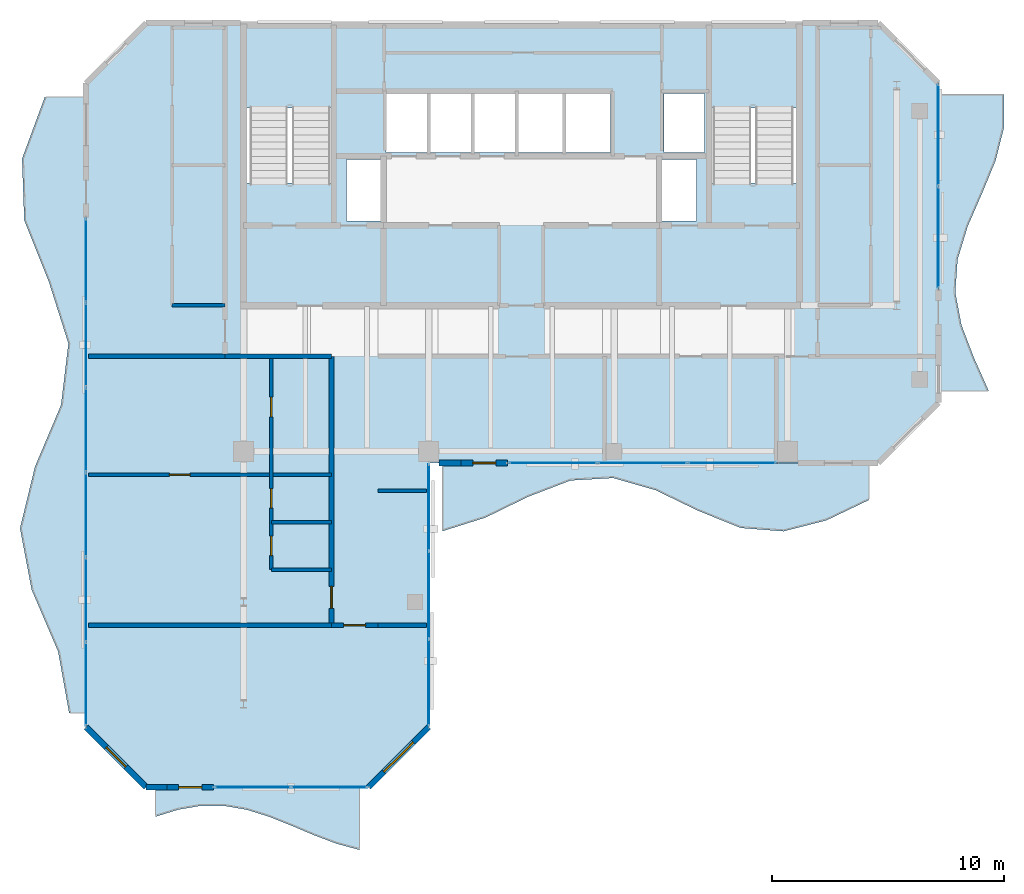
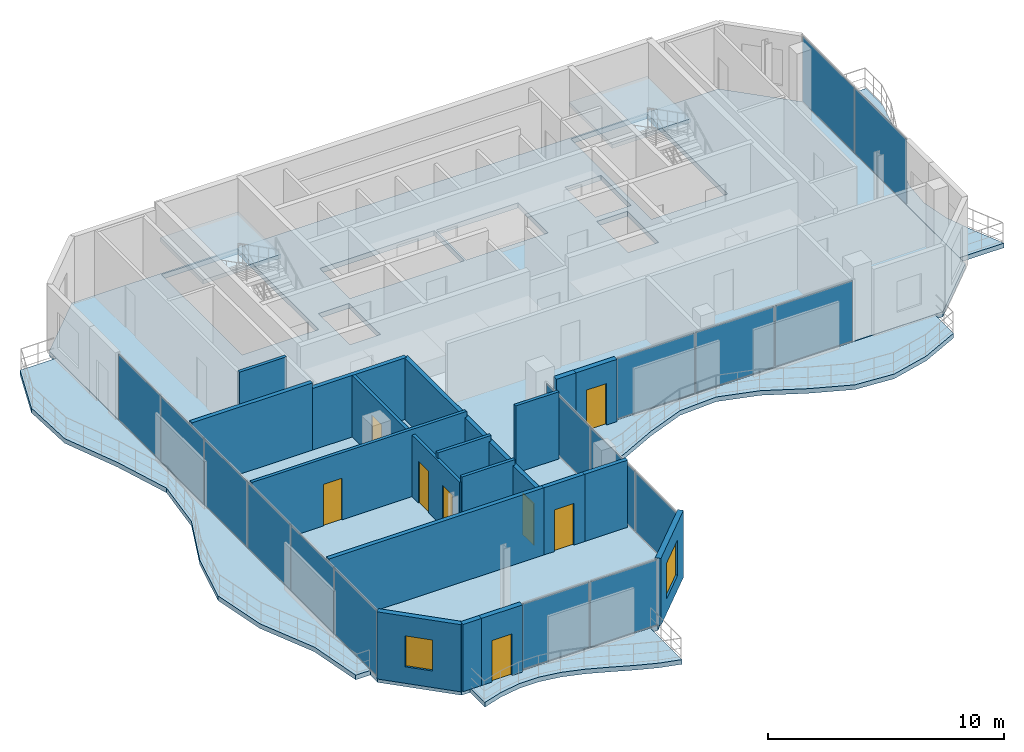
# One storey, part 11 of 16: 18 walls, 16 plates, 8 doors, 7 slabs, 2 windows, 10 openings, 7 elements without a shape of their own.
"""IFC4 building model written with IfcOpenShell, lengths in metres."""

import ifcopenshell
import ifcopenshell.guid

model = None  # the IFC model being written
_history = None  # IfcOwnerHistory: only IFC2X3 demands one
_inside = {}  # id of a spatial element -> (the spatial element, [elements in it])
_under = {}  # id of a project, library or spatial element -> (it, [spatial elements below it])
_declared = {}  # id of a project -> (the project, [libraries it declares])
_typed = {}  # id of a type object -> (the type object, [elements of that type])
_made_of = {}  # id of a material, layer set ... -> (it, [elements and type objects made of it])


def new_model(schema):
    """Start an empty IFC model of exactly this schema.

    Asked for "IFC4X3", IfcOpenShell would pick the latest addendum, in which some entities
    have other attributes; the version numbers below select the first issue.
    IFC2X3 requires an IfcOwnerHistory on every rooted entity: one is made here for all.
    """
    global model, _history
    if schema == "IFC4X3":
        model = ifcopenshell.file(schema_version=(4, 3, 0, 0))
    else:
        model = ifcopenshell.file(schema=schema)
    _inside.clear()
    _under.clear()
    _declared.clear()
    _typed.clear()
    _made_of.clear()
    _history = None
    if model.schema == "IFC2X3":
        org = make("IfcOrganization", Name="unknown")
        user = make(
            "IfcPersonAndOrganization",
            ThePerson=make("IfcPerson", FamilyName="unknown"),
            TheOrganization=org,
        )
        app = make(
            "IfcApplication",
            ApplicationDeveloper=org,
            Version="unknown",
            ApplicationFullName="unknown",
            ApplicationIdentifier="unknown",
        )
        _history = make(
            "IfcOwnerHistory",
            OwningUser=user,
            OwningApplication=app,
            ChangeAction="ADDED",
            CreationDate=0,
        )
    return model


def make(cls, **values):
    """One entity of the class cls with the attributes given. An attribute that is None is left unset."""
    return model.create_entity(
        cls, **{name: value for name, value in values.items() if value is not None}
    )


def rooted(cls, **values):
    """An entity with a GlobalId (a new one), such as an element, a storey or a relation."""
    return make(cls, GlobalId=ifcopenshell.guid.new(), OwnerHistory=_history, **values)


def si_unit(unit_type, name, prefix=None):
    """IfcSIUnit, for example si_unit("LENGTHUNIT", "METRE", prefix="MILLI")."""
    return make("IfcSIUnit", UnitType=unit_type, Prefix=prefix, Name=name)


def assignment(units):
    """IfcUnitAssignment: the units of a project."""
    return None if units is None else make("IfcUnitAssignment", Units=units)


def point(xyz):
    """IfcCartesianPoint."""
    return None if xyz is None else make("IfcCartesianPoint", Coordinates=xyz)


def direction(xyz):
    """IfcDirection."""
    return None if xyz is None else make("IfcDirection", DirectionRatios=xyz)


def frame(location, z_axis=None, x_axis=None):
    """IfcAxis2Placement3D, a coordinate frame: its origin and axes. An axis left out is left unset."""
    return make(
        "IfcAxis2Placement3D",
        Location=point(location),
        Axis=direction(z_axis),
        RefDirection=direction(x_axis),
    )


def frame_2d(location, x_axis=None):
    """IfcAxis2Placement2D, a coordinate frame in the plane: its origin and x axis."""
    return make(
        "IfcAxis2Placement2D", Location=point(location), RefDirection=direction(x_axis)
    )


def origin():
    """The frame at (0, 0, 0) with its axes left unset."""
    return frame((0.0, 0.0, 0.0))


def origin_2d():
    """The frame at (0, 0) in the plane with its x axis left unset."""
    return frame_2d((0.0, 0.0))


def place(relative_to, where):
    """IfcLocalPlacement: puts the frame where relative to a parent placement (None: the world)."""
    return make(
        "IfcLocalPlacement", PlacementRelTo=relative_to, RelativePlacement=where
    )


def context(
    kind, dimensions, precision=None, world=None, true_north=None, identifier=None
):
    """IfcGeometricRepresentationContext, for example the 3D "Model" context."""
    return make(
        "IfcGeometricRepresentationContext",
        ContextIdentifier=identifier,
        ContextType=kind,
        CoordinateSpaceDimension=dimensions,
        Precision=precision,
        WorldCoordinateSystem=world,
        TrueNorth=true_north,
    )


def subcontext(parent, identifier, kind, view, scale=None):
    """IfcGeometricRepresentationSubContext, for example "Body" below "Model"."""
    return make(
        "IfcGeometricRepresentationSubContext",
        ContextIdentifier=identifier,
        ContextType=kind,
        ParentContext=parent,
        TargetScale=scale,
        TargetView=view,
    )


def project(units=None, contexts=None):
    """IfcProject with its units and contexts."""
    return rooted(
        "IfcProject",
        Name="project",
        RepresentationContexts=contexts,
        UnitsInContext=assignment(units),
    )


def spatial(cls, under=None, at=None, **own):
    """A site, building, storey or space (cls), placed at a placement, below another one or the project."""
    s = rooted(cls, ObjectPlacement=at, **own)
    if under is not None:
        _under.setdefault(under.id(), (under, []))[1].append(s)
    return s


def polyline(points):
    """IfcPolyline through the points."""
    return make("IfcPolyline", Points=[point(p) for p in points])


def profile(cls, at=None, kind="AREA", **sizes):
    """A parametric profile (cls). Its sizes go by their IFC names, for example OverallWidth=200.0."""
    return make(cls, ProfileType=kind, Position=at, **sizes)


def rectangle(**sizes):
    """IfcRectangleProfileDef."""
    return profile("IfcRectangleProfileDef", **sizes)


def outline(outer, holes=None, kind="AREA"):
    """IfcArbitraryClosedProfileDef: a profile drawn as a closed curve; with holes, ...WithVoids."""
    if holes is None:
        return make("IfcArbitraryClosedProfileDef", ProfileType=kind, OuterCurve=outer)
    return make(
        "IfcArbitraryProfileDefWithVoids",
        ProfileType=kind,
        OuterCurve=outer,
        InnerCurves=holes,
    )


def extrude(swept, where, along, depth):
    """IfcExtrudedAreaSolid: the profile swept, set in the frame where, extruded along a direction by depth."""
    return make(
        "IfcExtrudedAreaSolid",
        SweptArea=swept,
        Position=where,
        ExtrudedDirection=direction(along),
        Depth=depth,
    )


def shape(context_of_items, identifier, shape_type, items):
    """IfcShapeRepresentation: the items that make up one representation, for example the "Body"."""
    return make(
        "IfcShapeRepresentation",
        ContextOfItems=context_of_items,
        RepresentationIdentifier=identifier,
        RepresentationType=shape_type,
        Items=items,
    )


def material(Name=None, Category=None):
    """IfcMaterial."""
    return make("IfcMaterial", Name=Name, Category=Category)


def layer(
    of_material, thickness, ventilated=None, Name=None, Category=None, Priority=None
):
    """IfcMaterialLayer: one layer of a wall or slab, of a material (None: an air gap)."""
    return make(
        "IfcMaterialLayer",
        Material=of_material,
        LayerThickness=thickness,
        IsVentilated=ventilated,
        Name=Name,
        Category=Category,
        Priority=Priority,
    )


def layer_set(layers, Name=None):
    """IfcMaterialLayerSet."""
    return make("IfcMaterialLayerSet", MaterialLayers=layers, LayerSetName=Name)


def made_of(thing, what):
    """Note that an element or type object is made of a material, layer set ...; save() writes the relation."""
    if what is not None:
        _made_of.setdefault(what.id(), (what, []))[1].append(thing)
    return thing


def type_object(cls, material=None, **own):
    """A type object (cls), such as IfcWallType, which elements share."""
    return made_of(rooted(cls, **own), material)


def element(
    cls,
    number,
    at=None,
    inside=None,
    cuts=None,
    type_object=None,
    material=None,
    context=None,
    identifier="Body",
    shape_type=None,
    held_by="IfcProductDefinitionShape",
    body=None,
    shapes=None,
    **own,
):
    """One element of the class cls, such as IfcWall. Its Tag is "e" and its number.

    at: its placement. inside: the storey or other place that contains it. cuts: it is an
    opening in that element (IfcRelVoidsElement). A single representation is given by context,
    identifier, shape_type and body (its items); several are given by shapes. held_by: the class
    of the entity that holds the representations. save() writes the other relations.
    """
    e = rooted(cls, Tag="e%d" % number, ObjectPlacement=at, **own)
    if body is not None:
        shapes = [shape(context, identifier, shape_type, body)]
    if shapes is not None:
        e.Representation = make(held_by, Representations=shapes)
    if inside is not None:
        _inside.setdefault(inside.id(), (inside, []))[1].append(e)
    if cuts is not None:
        rooted(
            "IfcRelVoidsElement", RelatingBuildingElement=cuts, RelatedOpeningElement=e
        )
    if type_object is not None:
        _typed.setdefault(type_object.id(), (type_object, []))[1].append(e)
    return made_of(e, material)


def fill(opening, filler):
    """IfcRelFillsElement: the door or window that sits in an opening."""
    return rooted(
        "IfcRelFillsElement",
        RelatingOpeningElement=opening,
        RelatedBuildingElement=filler,
    )


def aggregate(whole, parts):
    """IfcRelAggregates: a whole, such as a stair, and the parts it consists of."""
    return rooted("IfcRelAggregates", RelatingObject=whole, RelatedObjects=parts)


def save(model, path):
    """Write the relations noted so far, then the file.

    IfcRelAggregates (storeys below a building ...), IfcRelContainedInSpatialStructure (elements
    in a storey), IfcRelDefinesByType, IfcRelAssociatesMaterial and IfcRelDeclares: one each for
    every whole, place, type object, material and project.
    """
    for whole, parts in _under.values():
        aggregate(whole, parts)
    for where, things in _inside.values():
        rooted(
            "IfcRelContainedInSpatialStructure",
            RelatedElements=things,
            RelatingStructure=where,
        )
    for kind, things in _typed.values():
        rooted("IfcRelDefinesByType", RelatedObjects=things, RelatingType=kind)
    for what, things in _made_of.values():
        rooted("IfcRelAssociatesMaterial", RelatedObjects=things, RelatingMaterial=what)
    for by, libraries in _declared.values():
        rooted("IfcRelDeclares", RelatingContext=by, RelatedDefinitions=libraries)
    model.write(path)


model = new_model("IFC4")

# Units and contexts
model_context = context("Model", 3, precision=1e-05, world=origin(), true_north=direction((0.0, 1.0)))
body_context = subcontext(model_context, "Body", "Model", "MODEL_VIEW")
ifc_project = project(units=[si_unit("LENGTHUNIT", "METRE"), si_unit("AREAUNIT", "SQUARE_METRE"), si_unit("VOLUMEUNIT", "CUBIC_METRE"), si_unit("PLANEANGLEUNIT", "RADIAN"), si_unit("MASSUNIT", "GRAM", prefix="KILO")], contexts=[model_context])

# Site, building, storey
site_placement = place(None, origin())
site = spatial("IfcSite", under=ifc_project, at=site_placement, CompositionType="ELEMENT")
building_placement = place(site_placement, origin())
building = spatial("IfcBuilding", under=site, at=building_placement, Name="Catumbela Crestline Tower", CompositionType="ELEMENT")
storey_placement = place(building_placement, frame((0.0, 0.0, 286.8)))
storey = spatial("IfcBuildingStorey", under=building, at=storey_placement, Name="L74", CompositionType="ELEMENT", Elevation=286.8)

# Curtain wall, plates
ifc_material_1 = material(Name="Aluminium alloy AW-6060-T66", Category="aluminium")
ifc_layer_1 = layer(ifc_material_1, 0.18, Name="Aluminium alloy AW-6060-T66")
ifc_layer_set_1 = layer_set([ifc_layer_1], Name="Aluminium alloy AW-6060-T66")
curtain_wall_type = type_object("IfcCurtainWallType", Name="CWU-Z4", PredefinedType="USERDEFINED", material=ifc_layer_set_1)
curtain_wall_1_placement = place(storey_placement, origin())
curtain_wall_1 = element("IfcCurtainWall", 1, at=curtain_wall_1_placement, inside=storey, type_object=curtain_wall_type, Name="L74 Unitised Curtain Wall CW-L74-E0S2", ObjectType="UNITISED", PredefinedType="USERDEFINED")
ifc_material_2 = material(Name="Low-E laminated solar-control double glazing", Category="glass")
ifc_layer_2 = layer(ifc_material_2, 0.036, Name="Low-E laminated solar-control double glazing")
ifc_layer_set_2 = layer_set([ifc_layer_2], Name="Low-E laminated solar-control double glazing")
plate_type = type_object("IfcPlateType", Name="PNL-GLZ-Z4", PredefinedType="CURTAIN_PANEL", material=ifc_layer_set_2)
plate_1_placement = place(storey_placement, frame((16.3912, 10.0, 0.06), z_axis=(0.0, 0.0, 1.0), x_axis=(1.0, 0.0, 0.0)))
plate_1 = element("IfcPlate", 2, at=plate_1_placement, type_object=plate_type, Name="CWU-Z4 panel 1.1", PredefinedType="CURTAIN_PANEL", context=body_context, shape_type="SweptSolid", body=[
    extrude(rectangle(XDim=3.2525, YDim=0.034, at=origin_2d()), origin(), (0.0, 0.0, 1.0), 3.35),
])
plate_2_placement = place(storey_placement, frame((19.7087, 10.0, 0.06), z_axis=(0.0, 0.0, 1.0), x_axis=(1.0, 0.0, 0.0)))
plate_2 = element("IfcPlate", 3, at=plate_2_placement, type_object=plate_type, Name="CWU-Z4 panel 2.1", PredefinedType="CURTAIN_PANEL", context=body_context, shape_type="SweptSolid", body=[
    extrude(rectangle(XDim=3.2525, YDim=0.034, at=origin_2d()), origin(), (0.0, 0.0, 1.0), 3.35),
])
aggregate(curtain_wall_1, [plate_1, plate_2])

curtain_wall_2_placement = place(storey_placement, origin())
curtain_wall_2 = element("IfcCurtainWall", 4, at=curtain_wall_2_placement, inside=storey, type_object=curtain_wall_type, Name="L74 Unitised Curtain Wall CW-L74-E2S1", ObjectType="UNITISED", PredefinedType="USERDEFINED")
plate_3_placement = place(storey_placement, frame((24.0, 14.5162, 0.06), z_axis=(0.0, 0.0, 1.0), x_axis=(0.0, 1.0, 0.0)))
plate_3 = element("IfcPlate", 5, at=plate_3_placement, type_object=plate_type, Name="CWU-Z4 panel 1.1", PredefinedType="CURTAIN_PANEL", context=body_context, shape_type="SweptSolid", body=[
    extrude(rectangle(XDim=3.7025, YDim=0.034, at=origin_2d()), origin(), (0.0, 0.0, 1.0), 3.06),
])
plate_4_placement = place(storey_placement, frame((24.0, 18.3, 0.06), z_axis=(0.0, 0.0, 1.0), x_axis=(0.0, 1.0, 0.0)))
plate_4 = element("IfcPlate", 6, at=plate_4_placement, type_object=plate_type, Name="CWU-Z4 panel 2.1", PredefinedType="CURTAIN_PANEL", context=body_context, shape_type="SweptSolid", body=[
    extrude(rectangle(XDim=3.735, YDim=0.034, at=origin_2d()), origin(), (0.0, 0.0, 1.0), 3.06),
])
plate_5_placement = place(storey_placement, frame((24.0, 22.0837, 0.06), z_axis=(0.0, 0.0, 1.0), x_axis=(0.0, 1.0, 0.0)))
plate_5 = element("IfcPlate", 7, at=plate_5_placement, type_object=plate_type, Name="CWU-Z4 panel 3.1", PredefinedType="CURTAIN_PANEL", context=body_context, shape_type="SweptSolid", body=[
    extrude(rectangle(XDim=3.7025, YDim=0.034, at=origin_2d()), origin(), (0.0, 0.0, 1.0), 3.06),
])
aggregate(curtain_wall_2, [plate_3, plate_4, plate_5])

curtain_wall_3_placement = place(storey_placement, origin())
curtain_wall_3 = element("IfcCurtainWall", 8, at=curtain_wall_3_placement, inside=storey, type_object=curtain_wall_type, Name="L74 Unitised Curtain Wall CW-L74-E3S2", ObjectType="UNITISED", PredefinedType="USERDEFINED")
plate_6_placement = place(storey_placement, frame((29.3579, 24.0, 0.06), z_axis=(0.0, 0.0, 1.0), x_axis=(1.0, 0.0, 0.0)))
plate_6 = element("IfcPlate", 9, at=plate_6_placement, type_object=plate_type, Name="CWU-Z4 panel 1.1", PredefinedType="CURTAIN_PANEL", context=body_context, shape_type="SweptSolid", body=[
    extrude(rectangle(XDim=3.7858, YDim=0.034, at=origin_2d()), origin(), (0.0, 0.0, 1.0), 3.1),
])
plate_7_placement = place(storey_placement, frame((33.225, 24.0, 0.06), z_axis=(0.0, 0.0, 1.0), x_axis=(1.0, 0.0, 0.0)))
plate_7 = element("IfcPlate", 10, at=plate_7_placement, type_object=plate_type, Name="CWU-Z4 panel 2.1", PredefinedType="CURTAIN_PANEL", context=body_context, shape_type="SweptSolid", body=[
    extrude(rectangle(XDim=3.8183, YDim=0.034, at=origin_2d()), origin(), (0.0, 0.0, 1.0), 3.1),
])
plate_8_placement = place(storey_placement, frame((37.0921, 24.0, 0.06), z_axis=(0.0, 0.0, 1.0), x_axis=(1.0, 0.0, 0.0)))
plate_8 = element("IfcPlate", 11, at=plate_8_placement, type_object=plate_type, Name="CWU-Z4 panel 3.1", PredefinedType="CURTAIN_PANEL", context=body_context, shape_type="SweptSolid", body=[
    extrude(rectangle(XDim=3.7858, YDim=0.034, at=origin_2d()), origin(), (0.0, 0.0, 1.0), 3.1),
])
aggregate(curtain_wall_3, [plate_6, plate_7, plate_8])

curtain_wall_4_placement = place(storey_placement, origin())
curtain_wall_4 = element("IfcCurtainWall", 12, at=curtain_wall_4_placement, inside=storey, type_object=curtain_wall_type, Name="L74 Unitised Curtain Wall CW-L74-E5S2", ObjectType="UNITISED", PredefinedType="USERDEFINED")
plate_9_placement = place(storey_placement, frame((46.0, 33.7412, 0.06), z_axis=(0.0, 0.0, 1.0), x_axis=(0.0, 1.0, 0.0)))
plate_9 = element("IfcPlate", 13, at=plate_9_placement, type_object=plate_type, Name="CWU-Z4 panel 1.1", PredefinedType="CURTAIN_PANEL", context=body_context, shape_type="SweptSolid", body=[
    extrude(rectangle(XDim=4.3525, YDim=0.034, at=origin_2d()), origin(), (0.0, 0.0, 1.0), 3.35),
])
plate_10_placement = place(storey_placement, frame((46.0, 38.1588, 0.06), z_axis=(0.0, 0.0, 1.0), x_axis=(0.0, 1.0, 0.0)))
plate_10 = element("IfcPlate", 14, at=plate_10_placement, type_object=plate_type, Name="CWU-Z4 panel 2.1", PredefinedType="CURTAIN_PANEL", context=body_context, shape_type="SweptSolid", body=[
    extrude(rectangle(XDim=4.3525, YDim=0.034, at=origin_2d()), origin(), (0.0, 0.0, 1.0), 3.35),
])
aggregate(curtain_wall_4, [plate_9, plate_10])

curtain_wall_5_placement = place(storey_placement, origin())
curtain_wall_5 = element("IfcCurtainWall", 15, at=curtain_wall_5_placement, inside=storey, type_object=curtain_wall_type, Name="L74 Unitised Curtain Wall CW-L74-E9S2", ObjectType="UNITISED", PredefinedType="USERDEFINED")
plate_11_placement = place(storey_placement, frame((9.2, 32.7504, 0.06), z_axis=(0.0, 0.0, 1.0), x_axis=(0.0, -1.0, 0.0)))
plate_11 = element("IfcPlate", 16, at=plate_11_placement, type_object=plate_type, Name="CWU-Z4 panel 1.1", PredefinedType="CURTAIN_PANEL", context=body_context, shape_type="SweptSolid", body=[
    extrude(rectangle(XDim=3.5692, YDim=0.034, at=origin_2d()), origin(), (0.0, 0.0, 1.0), 3.35),
])
plate_12_placement = place(storey_placement, frame((9.2, 29.1, 0.06), z_axis=(0.0, 0.0, 1.0), x_axis=(0.0, -1.0, 0.0)))
plate_12 = element("IfcPlate", 17, at=plate_12_placement, type_object=plate_type, Name="CWU-Z4 panel 2.1", PredefinedType="CURTAIN_PANEL", context=body_context, shape_type="SweptSolid", body=[
    extrude(rectangle(XDim=3.6017, YDim=0.034, at=origin_2d()), origin(), (0.0, 0.0, 1.0), 3.35),
])
plate_13_placement = place(storey_placement, frame((9.2, 25.4333, 0.06), z_axis=(0.0, 0.0, 1.0), x_axis=(0.0, -1.0, 0.0)))
plate_13 = element("IfcPlate", 18, at=plate_13_placement, type_object=plate_type, Name="CWU-Z4 panel 3.1", PredefinedType="CURTAIN_PANEL", context=body_context, shape_type="SweptSolid", body=[
    extrude(rectangle(XDim=3.6017, YDim=0.034, at=origin_2d()), origin(), (0.0, 0.0, 1.0), 3.35),
])
plate_14_placement = place(storey_placement, frame((9.2, 21.7667, 0.06), z_axis=(0.0, 0.0, 1.0), x_axis=(0.0, -1.0, 0.0)))
plate_14 = element("IfcPlate", 19, at=plate_14_placement, type_object=plate_type, Name="CWU-Z4 panel 4.1", PredefinedType="CURTAIN_PANEL", context=body_context, shape_type="SweptSolid", body=[
    extrude(rectangle(XDim=3.6017, YDim=0.034, at=origin_2d()), origin(), (0.0, 0.0, 1.0), 3.35),
])
plate_15_placement = place(storey_placement, frame((9.2, 18.1, 0.06), z_axis=(0.0, 0.0, 1.0), x_axis=(0.0, -1.0, 0.0)))
plate_15 = element("IfcPlate", 20, at=plate_15_placement, type_object=plate_type, Name="CWU-Z4 panel 5.1", PredefinedType="CURTAIN_PANEL", context=body_context, shape_type="SweptSolid", body=[
    extrude(rectangle(XDim=3.6017, YDim=0.034, at=origin_2d()), origin(), (0.0, 0.0, 1.0), 3.35),
])
plate_16_placement = place(storey_placement, frame((9.2, 14.4496, 0.06), z_axis=(0.0, 0.0, 1.0), x_axis=(0.0, -1.0, 0.0)))
plate_16 = element("IfcPlate", 21, at=plate_16_placement, type_object=plate_type, Name="CWU-Z4 panel 6.1", PredefinedType="CURTAIN_PANEL", context=body_context, shape_type="SweptSolid", body=[
    extrude(rectangle(XDim=3.5692, YDim=0.034, at=origin_2d()), origin(), (0.0, 0.0, 1.0), 3.35),
])
aggregate(curtain_wall_5, [plate_11, plate_12, plate_13, plate_14, plate_15, plate_16])

# Stair, slab
ifc_material_3 = material(Name="Concrete C45/55", Category="concrete")
stair_type = type_object("IfcStairType", Name="ST-DLG", PredefinedType="HALF_TURN_STAIR", material=ifc_material_3)
stair_1_placement = place(storey_placement, origin())
stair_1 = element("IfcStair", 22, at=stair_1_placement, inside=storey, type_object=stair_type, Name="L74 West Core Pressurised Exit Stair ST-01", PredefinedType="HALF_TURN_STAIR")
ifc_layer_3 = layer(ifc_material_3, 0.2, Name="Concrete C45/55")
ifc_layer_set_3 = layer_set([ifc_layer_3], Name="Concrete C45/55")
slab_type_1 = type_object("IfcSlabType", Name="SL-LND", PredefinedType="LANDING", material=ifc_layer_set_3)
slab_1_placement = place(storey_placement, frame((0.0, 0.0, 1.7)))
slab_1 = element("IfcSlab", 23, at=slab_1_placement, type_object=slab_type_1, Name="ST-01 landing 1", PredefinedType="LANDING", context=body_context, shape_type="SweptSolid", body=[
    extrude(outline(polyline([(19.91, 39.33), (19.91, 42.96), (16.09, 42.96), (16.09, 39.33), (19.91, 39.33)])), origin(), (0.0, 0.0, 1.0), 0.2),
])
aggregate(stair_1, [slab_1])

stair_2_placement = place(storey_placement, origin())
stair_2 = element("IfcStair", 24, at=stair_2_placement, inside=storey, type_object=stair_type, Name="L74 East Core Pressurised Exit Stair ST-02", PredefinedType="HALF_TURN_STAIR")
slab_2_placement = place(storey_placement, frame((0.0, 0.0, 1.7)))
slab_2 = element("IfcSlab", 25, at=slab_2_placement, type_object=slab_type_1, Name="ST-02 landing 1", PredefinedType="LANDING", context=body_context, shape_type="SweptSolid", body=[
    extrude(outline(polyline([(39.91, 39.33), (39.91, 42.96), (36.09, 42.96), (36.09, 39.33), (39.91, 39.33)])), origin(), (0.0, 0.0, 1.0), 0.2),
])
aggregate(stair_2, [slab_2])

# Slabs
ifc_layer_4 = layer(ifc_material_3, 0.26, Name="Concrete C45/55")
ifc_layer_set_4 = layer_set([ifc_layer_4], Name="Concrete C45/55")
slab_type_2 = type_object("IfcSlabType", Name="SL-260", PredefinedType="FLOOR", material=ifc_layer_set_4)
slab_3_placement = place(storey_placement, frame((0.0, 0.0, -0.26)))
element("IfcSlab", 26, at=slab_3_placement, inside=storey, type_object=slab_type_2, Name="L74 Structural Floor Slab", PredefinedType="FLOOR", context=body_context, shape_type="SweptSolid", body=[
    extrude(outline(polyline([(11.8, 10.0), (21.4, 10.0), (24.0, 12.6), (24.0, 24.0), (43.4, 24.0), (46.0, 26.6), (46.0, 40.4), (43.4, 43.0), (11.8, 43.0), (9.2, 40.4), (9.2, 12.6), (11.8, 10.0)]), holes=[polyline([(16.13, 36.08), (19.87, 36.08), (19.87, 42.92), (16.13, 42.92), (16.13, 36.08)]), polyline([(36.13, 36.08), (39.87, 36.08), (39.87, 42.92), (36.13, 42.92), (36.13, 36.08)]), polyline([(22.15, 37.4), (27.75, 37.4), (27.75, 39.95), (22.15, 39.95), (22.15, 37.4)]), polyline([(27.85, 37.4), (31.85, 37.4), (31.85, 39.95), (27.85, 39.95), (27.85, 37.4)]), polyline([(20.45, 34.45), (21.95, 34.45), (21.95, 37.1), (20.45, 37.1), (20.45, 34.45)]), polyline([(34.05, 34.45), (35.55, 34.45), (35.55, 37.1), (34.05, 37.1), (34.05, 34.45)]), polyline([(34.15, 37.4), (35.9, 37.4), (35.9, 39.95), (34.15, 39.95), (34.15, 37.4)])]), origin(), (0.0, 0.0, 1.0), 0.26),
])
ifc_layer_5 = layer(ifc_material_3, 0.24, Name="Concrete C45/55")
ifc_layer_set_5 = layer_set([ifc_layer_5], Name="Concrete C45/55")
slab_type_3 = type_object("IfcSlabType", Name="SB-240W", PredefinedType="USERDEFINED", material=ifc_layer_set_5)
slab_4_placement = place(storey_placement, frame((0.0, 0.0, -0.24)))
element("IfcSlab", 27, at=slab_4_placement, inside=storey, type_object=slab_type_3, Name="L74 Cantilevered Wave Balcony Slab SPINE-S", ObjectType="BALCONY", PredefinedType="USERDEFINED", context=body_context, shape_type="SweptSolid", body=[
    extrude(outline(polyline([(24.6, 21.0587), (26.44, 21.6396), (28.28, 22.5372), (30.12, 23.2442), (31.96, 23.35), (33.8, 22.8216), (35.64, 21.9309), (37.48, 21.1922), (39.32, 21.05), (41.16, 21.5193), (43.0, 22.4001), (43.0, 23.99), (24.6, 23.99), (24.6, 21.0587)])), origin(), (0.0, 0.0, 1.0), 0.24),
])
slab_5_placement = place(storey_placement, frame((0.0, 0.0, -0.24)))
element("IfcSlab", 28, at=slab_5_placement, inside=storey, type_object=slab_type_3, Name="L74 Cantilevered Wave Balcony Slab SPINE-E", ObjectType="BALCONY", PredefinedType="USERDEFINED", context=body_context, shape_type="SweptSolid", body=[
    extrude(outline(polyline([(46.01, 27.1), (48.1771, 27.1), (47.5442, 28.5222), (46.9995, 29.9444), (46.7306, 31.3667), (46.8301, 32.7889), (47.2638, 34.2111), (47.8822, 35.6333), (48.4723, 37.0556), (48.8308, 38.4778), (48.8341, 39.9), (46.01, 39.9), (46.01, 27.1)])), origin(), (0.0, 0.0, 1.0), 0.24),
])
slab_6_placement = place(storey_placement, frame((0.0, 0.0, -0.24)))
element("IfcSlab", 29, at=slab_6_placement, inside=storey, type_object=slab_type_3, Name="L74 Cantilevered Wave Balcony Slab WING-S", ObjectType="BALCONY", PredefinedType="USERDEFINED", context=body_context, shape_type="SweptSolid", body=[
    extrude(outline(polyline([(12.2, 8.7274), (13.1778, 9.0314), (14.1556, 9.198), (15.1333, 9.1994), (16.1111, 9.0355), (17.0889, 8.7335), (18.0667, 8.3431), (19.0444, 7.9291), (20.0222, 7.56), (21.0, 7.2966), (21.0, 9.99), (12.2, 9.99), (12.2, 8.7274)])), origin(), (0.0, 0.0, 1.0), 0.24),
])
slab_7_placement = place(storey_placement, frame((0.0, 0.0, -0.24)))
element("IfcSlab", 30, at=slab_7_placement, inside=storey, type_object=slab_type_3, Name="L74 Cantilevered Wave Balcony Slab WEST", ObjectType="BALCONY", PredefinedType="USERDEFINED", context=body_context, shape_type="SweptSolid", body=[
    extrude(outline(polyline([(9.19, 39.8), (7.4207, 39.8), (6.4399, 37.14), (6.5327, 34.48), (7.5954, 31.82), (8.4395, 29.16), (8.1212, 26.5), (6.9964, 23.84), (6.35, 21.18), (6.8538, 18.52), (7.9955, 15.86), (8.4712, 13.2), (9.19, 13.2), (9.19, 39.8)])), origin(), (0.0, 0.0, 1.0), 0.24),
])

# Wall
ifc_material_4 = material(Name="Acoustic gypsum and mineral-wool partition")
ifc_layer_6 = layer(ifc_material_4, 0.2, Name="Acoustic gypsum and mineral-wool partition")
ifc_layer_set_6 = layer_set([ifc_layer_6], Name="Acoustic gypsum and mineral-wool partition")
wall_type_1 = type_object("IfcWallType", Name="WC-200", PredefinedType="PARTITIONING", material=ifc_layer_set_6)
wall_1_placement = place(storey_placement, frame((15.2, 28.6, 0.0), z_axis=(0.0, 0.0, 1.0), x_axis=(1.0, 0.0, 0.0)))
element("IfcWall", 31, at=wall_1_placement, inside=storey, type_object=wall_type_1, Name="L74 Interior Partition PW-L74-RCWL", PredefinedType="PARTITIONING", context=body_context, shape_type="SweptSolid", body=[
    extrude(rectangle(XDim=4.6, YDim=0.2, at=frame_2d((2.3, 0.0))), origin(), (0.0, 0.0, 1.0), 3.18),
])

# Wall, opening, door
wall_2_placement = place(storey_placement, frame((19.8, 17.0, 0.0), z_axis=(0.0, 0.0, 1.0), x_axis=(0.0, 1.0, 0.0)))
wall_2 = element("IfcWall", 32, at=wall_2_placement, inside=storey, type_object=wall_type_1, Name="L74 Interior Partition PW-L74-WL1-ENT", PredefinedType="PARTITIONING", context=body_context, shape_type="SweptSolid", body=[
    extrude(rectangle(XDim=11.6, YDim=0.2, at=frame_2d((5.8, 0.0))), origin(), (0.0, 0.0, 1.0), 3.18),
])
opening_1_placement = place(wall_2_placement, frame((0.723, 0.0, 0.0)))
opening_1 = element("IfcOpeningElement", 33, at=opening_1_placement, cuts=wall_2, Name="Opening DF6-095", PredefinedType="OPENING", context=body_context, shape_type="SweptSolid", body=[
    extrude(rectangle(XDim=0.95, YDim=2.15, at=frame_2d((0.475, 1.075))), frame((0.0, 0.11, 0.0), z_axis=(0.0, -1.0, 0.0), x_axis=(1.0, 0.0, 0.0)), (0.0, 0.0, 1.0), 0.22),
])
door_type_1 = type_object("IfcDoorType", Name="DF6-095", OperationType="NOTDEFINED", PredefinedType="DOOR", material=ifc_material_1)
door_1_placement = place(opening_1_placement, origin())
door_1 = element("IfcDoor", 34, at=door_1_placement, inside=storey, type_object=door_type_1, Name="L74 Interior Door DR-L74-WL1-ENT", OperationType="SINGLE_SWING_LEFT", OverallHeight=2.15, OverallWidth=0.95, PredefinedType="DOOR", context=body_context, shape_type="SweptSolid", body=[
    extrude(rectangle(XDim=0.95, YDim=2.15, at=frame_2d((0.475, 1.075))), frame((0.0, 0.025, 0.0), z_axis=(0.0, -1.0, 0.0), x_axis=(1.0, 0.0, 0.0)), (0.0, 0.0, 1.0), 0.05),
])
fill(opening_1, door_1)

wall_3_placement = place(storey_placement, frame((19.8, 17.0, 0.0), z_axis=(0.0, 0.0, 1.0), x_axis=(1.0, 0.0, 0.0)))
wall_3 = element("IfcWall", 35, at=wall_3_placement, inside=storey, type_object=wall_type_1, Name="L74 Interior Partition PW-L74-SH1-ENT", PredefinedType="PARTITIONING", context=body_context, shape_type="SweptSolid", body=[
    extrude(rectangle(XDim=2.0, YDim=0.2, at=frame_2d((1.0, 0.0))), origin(), (0.0, 0.0, 1.0), 3.47),
])
opening_2_placement = place(wall_3_placement, frame((0.525, 0.0, 0.0)))
opening_2 = element("IfcOpeningElement", 36, at=opening_2_placement, cuts=wall_3, Name="Opening DF6-095", PredefinedType="OPENING", context=body_context, shape_type="SweptSolid", body=[
    extrude(rectangle(XDim=0.95, YDim=2.15, at=frame_2d((0.475, 1.075))), frame((0.0, 0.11, 0.0), z_axis=(0.0, -1.0, 0.0), x_axis=(1.0, 0.0, 0.0)), (0.0, 0.0, 1.0), 0.22),
])
door_2_placement = place(opening_2_placement, origin())
door_2 = element("IfcDoor", 37, at=door_2_placement, inside=storey, type_object=door_type_1, Name="L74 Interior Door DR-L74-SH1-ENT", OperationType="SINGLE_SWING_LEFT", OverallHeight=2.15, OverallWidth=0.95, PredefinedType="DOOR", context=body_context, shape_type="SweptSolid", body=[
    extrude(rectangle(XDim=0.95, YDim=2.15, at=frame_2d((0.475, 1.075))), frame((0.0, 0.025, 0.0), z_axis=(0.0, -1.0, 0.0), x_axis=(1.0, 0.0, 0.0)), (0.0, 0.0, 1.0), 0.05),
])
fill(opening_2, door_2)

ifc_material_5 = material(Name="Angolan grey-ochre granite", Category="masonry")
ifc_layer_7 = layer(ifc_material_5, 0.25, Name="Angolan grey-ochre granite")
ifc_layer_set_7 = layer_set([ifc_layer_7], Name="Angolan grey-ochre granite")
wall_type_2 = type_object("IfcWallType", Name="WE-250", PredefinedType="STANDARD", material=ifc_layer_set_7)
wall_4_placement = place(storey_placement, frame((12.7, 10.0, 0.0), z_axis=(0.0, 0.0, 1.0), x_axis=(1.0, 0.0, 0.0)))
wall_4 = element("IfcWall", 38, at=wall_4_placement, inside=storey, type_object=wall_type_2, Name="L74 Exterior Threshold Portal Wall DR-L74-WBAL-3", PredefinedType="STANDARD", context=body_context, shape_type="SweptSolid", body=[
    extrude(rectangle(XDim=2.0, YDim=0.25, at=frame_2d((1.0, 0.0))), origin(), (0.0, 0.0, 1.0), 3.47),
])
opening_3_placement = place(wall_4_placement, frame((0.5, 0.0, 0.0)))
opening_3 = element("IfcOpeningElement", 39, at=opening_3_placement, cuts=wall_4, Name="Opening DB-L74-3", PredefinedType="OPENING", context=body_context, shape_type="SweptSolid", body=[
    extrude(rectangle(XDim=1.0, YDim=2.15, at=frame_2d((0.5, 1.075))), frame((0.0, 0.135, 0.0), z_axis=(0.0, -1.0, 0.0), x_axis=(1.0, 0.0, 0.0)), (0.0, 0.0, 1.0), 0.27),
])
door_type_2 = type_object("IfcDoorType", Name="DB-1000", OperationType="NOTDEFINED", PredefinedType="DOOR", material=ifc_material_1)
door_3_placement = place(opening_3_placement, origin())
door_3 = element("IfcDoor", 40, at=door_3_placement, inside=storey, type_object=door_type_2, Name="L74 Wave Balcony Terrace Door 3", OperationType="SINGLE_SWING_RIGHT", OverallHeight=2.15, OverallWidth=1.0, PredefinedType="DOOR", context=body_context, shape_type="SweptSolid", body=[
    extrude(rectangle(XDim=1.0, YDim=2.15, at=frame_2d((0.5, 1.075))), frame((0.0, 0.025, 0.0), z_axis=(0.0, -1.0, 0.0), x_axis=(1.0, 0.0, 0.0)), (0.0, 0.0, 1.0), 0.05),
])
fill(opening_3, door_3)

# Wall
wall_5_placement = place(storey_placement, frame((11.8, 10.0, 0.0), z_axis=(0.0, 0.0, 1.0), x_axis=(1.0, 0.0, 0.0)))
element("IfcWall", 41, at=wall_5_placement, inside=storey, type_object=wall_type_2, Name="L74 Granite Punched Window Wall 0-1", PredefinedType="STANDARD", context=body_context, shape_type="SweptSolid", body=[
    extrude(rectangle(XDim=0.9, YDim=0.25, at=frame_2d((0.45, 0.0))), origin(), (0.0, 0.0, 1.0), 3.47),
])

# Wall, opening, window
wall_6_placement = place(storey_placement, frame((21.4, 10.0, 0.0), z_axis=(0.0, 0.0, 1.0), x_axis=(0.707106781187, 0.707106781187, 0.0)))
wall_6 = element("IfcWall", 42, at=wall_6_placement, inside=storey, type_object=wall_type_2, Name="L74 Granite Punched Window Wall 1-1", PredefinedType="STANDARD", context=body_context, shape_type="SweptSolid", body=[
    extrude(rectangle(XDim=3.677, YDim=0.25, at=frame_2d((1.8385, 0.0))), origin(), (0.0, 0.0, 1.0), 3.47),
])
opening_4_placement = place(wall_6_placement, frame((0.9385, 0.0, 0.75)))
opening_4 = element("IfcOpeningElement", 43, at=opening_4_placement, cuts=wall_6, Name="Opening WN-01", PredefinedType="OPENING", context=body_context, shape_type="SweptSolid", body=[
    extrude(rectangle(XDim=1.8, YDim=1.85, at=frame_2d((0.9, 0.925))), frame((0.0, 0.135, 0.0), z_axis=(0.0, -1.0, 0.0), x_axis=(1.0, 0.0, 0.0)), (0.0, 0.0, 1.0), 0.27),
])
window_type_1 = type_object("IfcWindowType", Name="WF-1800", PartitioningType="SINGLE_PANEL", PredefinedType="WINDOW", material=ifc_material_2)
window_1_placement = place(opening_4_placement, origin())
window_1 = element("IfcWindow", 44, at=window_1_placement, inside=storey, type_object=window_type_1, Name="L74 Facade Vision Window 601", OverallHeight=1.85, OverallWidth=1.8, PartitioningType="SINGLE_PANEL", PredefinedType="WINDOW", context=body_context, shape_type="SweptSolid", body=[
    extrude(rectangle(XDim=1.8, YDim=1.85, at=frame_2d((0.9, 0.925))), frame((0.0, 0.03, 0.0), z_axis=(0.0, -1.0, 0.0), x_axis=(1.0, 0.0, 0.0)), (0.0, 0.0, 1.0), 0.06),
])
fill(opening_4, window_1)

# Wall, opening, door
wall_7_placement = place(storey_placement, frame((25.4, 24.0, 0.0), z_axis=(0.0, 0.0, 1.0), x_axis=(1.0, 0.0, 0.0)))
wall_7 = element("IfcWall", 45, at=wall_7_placement, inside=storey, type_object=wall_type_2, Name="L74 Exterior Threshold Portal Wall DR-L74-WBAL-1", PredefinedType="STANDARD", context=body_context, shape_type="SweptSolid", body=[
    extrude(rectangle(XDim=2.0, YDim=0.25, at=frame_2d((1.0, 0.0))), origin(), (0.0, 0.0, 1.0), 3.22),
])
opening_5_placement = place(wall_7_placement, frame((0.5, 0.0, 0.0)))
opening_5 = element("IfcOpeningElement", 46, at=opening_5_placement, cuts=wall_7, Name="Opening DB-L74-1", PredefinedType="OPENING", context=body_context, shape_type="SweptSolid", body=[
    extrude(rectangle(XDim=1.0, YDim=2.15, at=frame_2d((0.5, 1.075))), frame((0.0, 0.135, 0.0), z_axis=(0.0, -1.0, 0.0), x_axis=(1.0, 0.0, 0.0)), (0.0, 0.0, 1.0), 0.27),
])
door_4_placement = place(opening_5_placement, origin())
door_4 = element("IfcDoor", 47, at=door_4_placement, inside=storey, type_object=door_type_2, Name="L74 Wave Balcony Terrace Door 1", OperationType="SINGLE_SWING_RIGHT", OverallHeight=2.15, OverallWidth=1.0, PredefinedType="DOOR", context=body_context, shape_type="SweptSolid", body=[
    extrude(rectangle(XDim=1.0, YDim=2.15, at=frame_2d((0.5, 1.075))), frame((0.0, 0.025, 0.0), z_axis=(0.0, -1.0, 0.0), x_axis=(1.0, 0.0, 0.0)), (0.0, 0.0, 1.0), 0.05),
])
fill(opening_5, door_4)

# Wall
wall_8_placement = place(storey_placement, frame((24.45, 24.0, 0.0), z_axis=(0.0, 0.0, 1.0), x_axis=(1.0, 0.0, 0.0)))
element("IfcWall", 48, at=wall_8_placement, inside=storey, type_object=wall_type_2, Name="L74 Granite Punched Window Wall 3-1", PredefinedType="STANDARD", context=body_context, shape_type="SweptSolid", body=[
    extrude(rectangle(XDim=0.95, YDim=0.25, at=frame_2d((0.475, 0.0))), origin(), (0.0, 0.0, 1.0), 3.22),
])

# Wall, opening, window
wall_9_placement = place(storey_placement, frame((9.2, 12.6, 0.0), z_axis=(0.0, 0.0, 1.0), x_axis=(0.707106781187, -0.707106781187, 0.0)))
wall_9 = element("IfcWall", 49, at=wall_9_placement, inside=storey, type_object=wall_type_2, Name="L74 Granite Punched Window Wall 10-1", PredefinedType="STANDARD", context=body_context, shape_type="SweptSolid", body=[
    extrude(rectangle(XDim=3.677, YDim=0.25, at=frame_2d((1.8385, 0.0))), origin(), (0.0, 0.0, 1.0), 3.47),
])
opening_6_placement = place(wall_9_placement, frame((1.2385, 0.0, 0.85)))
opening_6 = element("IfcOpeningElement", 50, at=opening_6_placement, cuts=wall_9, Name="Opening WN-02", PredefinedType="OPENING", context=body_context, shape_type="SweptSolid", body=[
    extrude(rectangle(XDim=1.2, YDim=1.6, at=frame_2d((0.6, 0.8))), frame((0.0, 0.135, 0.0), z_axis=(0.0, -1.0, 0.0), x_axis=(1.0, 0.0, 0.0)), (0.0, 0.0, 1.0), 0.27),
])
window_type_2 = type_object("IfcWindowType", Name="WO-1200", PartitioningType="SINGLE_PANEL", PredefinedType="WINDOW", material=ifc_material_2)
window_2_placement = place(opening_6_placement, origin())
window_2 = element("IfcWindow", 51, at=window_2_placement, inside=storey, type_object=window_type_2, Name="L74 Facade Vision Window 610", OverallHeight=1.6, OverallWidth=1.2, PartitioningType="SINGLE_PANEL", PredefinedType="WINDOW", context=body_context, shape_type="SweptSolid", body=[
    extrude(rectangle(XDim=1.2, YDim=1.6, at=frame_2d((0.6, 0.8))), frame((0.0, 0.03, 0.0), z_axis=(0.0, -1.0, 0.0), x_axis=(1.0, 0.0, 0.0)), (0.0, 0.0, 1.0), 0.06),
])
fill(opening_6, window_2)

# Walls
ifc_layer_8 = layer(ifc_material_4, 0.15, Name="Acoustic gypsum and mineral-wool partition")
ifc_layer_set_8 = layer_set([ifc_layer_8], Name="Acoustic gypsum and mineral-wool partition")
wall_type_3 = type_object("IfcWallType", Name="WP-150", PredefinedType="PARTITIONING", material=ifc_layer_set_8)
wall_10_placement = place(storey_placement, frame((12.92, 30.8, 0.0), z_axis=(0.0, 0.0, 1.0), x_axis=(1.0, 0.0, 0.0)))
element("IfcWall", 52, at=wall_10_placement, inside=storey, type_object=wall_type_3, Name="L74 Interior Partition PW-L74-NW1-KBS", PredefinedType="PARTITIONING", context=body_context, shape_type="SweptSolid", body=[
    extrude(rectangle(XDim=2.28, YDim=0.15, at=frame_2d((1.14, 0.0))), origin(), (0.0, 0.0, 1.0), 3.47),
])
for number, where, z_axis, x_axis, name in (
    (53, (17.2, 19.396, 0.0), (0.0, 0.0, 1.0), (1.0, 0.0, 0.0), "L74 Interior Partition PW-L74-WL1-KBS"),
    (54, (17.2, 21.446, 0.0), (0.0, 0.0, 1.0), (1.0, 0.0, 0.0), "L74 Interior Partition PW-L74-WL1-KBM"),
):
    element("IfcWall", number, at=place(storey_placement, frame(where, z_axis=z_axis, x_axis=x_axis)), inside=storey, type_object=wall_type_3, Name=name, PredefinedType="PARTITIONING", context=body_context, shape_type="SweptSolid", body=[
        extrude(rectangle(XDim=2.6, YDim=0.15, at=frame_2d((1.3, 0.0))), origin(), (0.0, 0.0, 1.0), 3.47),
    ])

# Wall, opening, door
wall_11_placement = place(storey_placement, frame((9.3, 23.496, 0.0), z_axis=(0.0, 0.0, 1.0), x_axis=(1.0, 0.0, 0.0)))
wall_11 = element("IfcWall", 55, at=wall_11_placement, inside=storey, type_object=wall_type_3, Name="L74 Interior Partition PW-L74-WL1-KBN", PredefinedType="PARTITIONING", context=body_context, shape_type="SweptSolid", body=[
    extrude(rectangle(XDim=10.5, YDim=0.15, at=frame_2d((5.25, 0.0))), origin(), (0.0, 0.0, 1.0), 3.47),
])
opening_7_placement = place(wall_11_placement, frame((3.5, 0.0, 0.0)))
opening_7 = element("IfcOpeningElement", 56, at=opening_7_placement, cuts=wall_11, Name="Opening DI-090", PredefinedType="OPENING", context=body_context, shape_type="SweptSolid", body=[
    extrude(rectangle(XDim=0.9, YDim=2.15, at=frame_2d((0.45, 1.075))), frame((0.0, 0.085, 0.0), z_axis=(0.0, -1.0, 0.0), x_axis=(1.0, 0.0, 0.0)), (0.0, 0.0, 1.0), 0.17),
])
door_type_3 = type_object("IfcDoorType", Name="DI-090", OperationType="NOTDEFINED", PredefinedType="DOOR", material=ifc_material_1)
door_5_placement = place(opening_7_placement, origin())
door_5 = element("IfcDoor", 57, at=door_5_placement, inside=storey, type_object=door_type_3, Name="L74 Interior Door DR-L74-WL1-BD1", OperationType="SINGLE_SWING_LEFT", OverallHeight=2.15, OverallWidth=0.9, PredefinedType="DOOR", context=body_context, shape_type="SweptSolid", body=[
    extrude(rectangle(XDim=0.9, YDim=2.15, at=frame_2d((0.45, 1.075))), frame((0.0, 0.025, 0.0), z_axis=(0.0, -1.0, 0.0), x_axis=(1.0, 0.0, 0.0)), (0.0, 0.0, 1.0), 0.05),
])
fill(opening_7, door_5)

# Wall, openings, doors
wall_12_placement = place(storey_placement, frame((17.2, 19.396, 0.0), z_axis=(0.0, 0.0, 1.0), x_axis=(0.0, 1.0, 0.0)))
wall_12 = element("IfcWall", 58, at=wall_12_placement, inside=storey, type_object=wall_type_3, Name="L74 Interior Partition PW-L74-WL1-LK", PredefinedType="PARTITIONING", context=body_context, shape_type="SweptSolid", body=[
    extrude(rectangle(XDim=9.204, YDim=0.15, at=frame_2d((4.602, 0.0))), origin(), (0.0, 0.0, 1.0), 3.18),
])
opening_8_placement = place(wall_12_placement, frame((0.6, 0.0, 0.0)))
opening_8 = element("IfcOpeningElement", 59, at=opening_8_placement, cuts=wall_12, Name="Opening DI-085", PredefinedType="OPENING", context=body_context, shape_type="SweptSolid", body=[
    extrude(rectangle(XDim=0.85, YDim=2.15, at=frame_2d((0.425, 1.075))), frame((0.0, 0.085, 0.0), z_axis=(0.0, -1.0, 0.0), x_axis=(1.0, 0.0, 0.0)), (0.0, 0.0, 1.0), 0.17),
])
opening_9_placement = place(wall_12_placement, frame((2.65, 0.0, 0.0)))
opening_9 = element("IfcOpeningElement", 60, at=opening_9_placement, cuts=wall_12, Name="Opening DI-085", PredefinedType="OPENING", context=body_context, shape_type="SweptSolid", body=[
    extrude(rectangle(XDim=0.85, YDim=2.15, at=frame_2d((0.425, 1.075))), frame((0.0, 0.085, 0.0), z_axis=(0.0, -1.0, 0.0), x_axis=(1.0, 0.0, 0.0)), (0.0, 0.0, 1.0), 0.17),
])
opening_10_placement = place(wall_12_placement, frame((6.5927, 0.0, 0.0)))
opening_10 = element("IfcOpeningElement", 61, at=opening_10_placement, cuts=wall_12, Name="Opening DI-085", PredefinedType="OPENING", context=body_context, shape_type="SweptSolid", body=[
    extrude(rectangle(XDim=0.85, YDim=2.15, at=frame_2d((0.425, 1.075))), frame((0.0, 0.085, 0.0), z_axis=(0.0, -1.0, 0.0), x_axis=(1.0, 0.0, 0.0)), (0.0, 0.0, 1.0), 0.17),
])
door_type_4 = type_object("IfcDoorType", Name="DI-085", OperationType="NOTDEFINED", PredefinedType="DOOR", material=ifc_material_1)
door_6_placement = place(opening_8_placement, origin())
door_6 = element("IfcDoor", 62, at=door_6_placement, inside=storey, type_object=door_type_4, Name="L74 Interior Door DR-L74-WL1-KIT", OperationType="SINGLE_SWING_LEFT", OverallHeight=2.15, OverallWidth=0.85, PredefinedType="DOOR", context=body_context, shape_type="SweptSolid", body=[
    extrude(rectangle(XDim=0.85, YDim=2.15, at=frame_2d((0.425, 1.075))), frame((0.0, 0.025, 0.0), z_axis=(0.0, -1.0, 0.0), x_axis=(1.0, 0.0, 0.0)), (0.0, 0.0, 1.0), 0.05),
])
fill(opening_8, door_6)
door_7_placement = place(opening_9_placement, origin())
door_7 = element("IfcDoor", 63, at=door_7_placement, inside=storey, type_object=door_type_4, Name="L74 Interior Door DR-L74-WL1-BTH", OperationType="SINGLE_SWING_RIGHT", OverallHeight=2.15, OverallWidth=0.85, PredefinedType="DOOR", context=body_context, shape_type="SweptSolid", body=[
    extrude(rectangle(XDim=0.85, YDim=2.15, at=frame_2d((0.425, 1.075))), frame((0.0, 0.025, 0.0), z_axis=(0.0, -1.0, 0.0), x_axis=(1.0, 0.0, 0.0)), (0.0, 0.0, 1.0), 0.05),
])
fill(opening_9, door_7)
door_8_placement = place(opening_10_placement, origin())
door_8 = element("IfcDoor", 64, at=door_8_placement, inside=storey, type_object=door_type_4, Name="L74 Interior Door DR-L74-WL1-WIR", OperationType="SINGLE_SWING_LEFT", OverallHeight=2.15, OverallWidth=0.85, PredefinedType="DOOR", context=body_context, shape_type="SweptSolid", body=[
    extrude(rectangle(XDim=0.85, YDim=2.15, at=frame_2d((0.425, 1.075))), frame((0.0, 0.025, 0.0), z_axis=(0.0, -1.0, 0.0), x_axis=(1.0, 0.0, 0.0)), (0.0, 0.0, 1.0), 0.05),
])
fill(opening_10, door_8)

# Walls
wall_13_placement = place(storey_placement, frame((21.8, 22.8, 0.0), z_axis=(0.0, 0.0, 1.0), x_axis=(1.0, 0.0, 0.0)))
element("IfcWall", 65, at=wall_13_placement, inside=storey, type_object=wall_type_3, Name="L74 Interior Partition PW-L74-RWRP6", PredefinedType="PARTITIONING", context=body_context, shape_type="SweptSolid", body=[
    extrude(rectangle(XDim=2.1, YDim=0.15, at=frame_2d((1.05, 0.0))), origin(), (0.0, 0.0, 1.0), 3.47),
])
ifc_layer_9 = layer(ifc_material_4, 0.2, Name="Acoustic gypsum and mineral-wool partition")
ifc_layer_set_9 = layer_set([ifc_layer_9], Name="Acoustic gypsum and mineral-wool partition")
wall_type_4 = type_object("IfcWallType", Name="WY-200", PredefinedType="PARTITIONING", material=ifc_layer_set_9)
wall_14_placement = place(storey_placement, frame((9.3, 28.6, 0.0), z_axis=(0.0, 0.0, 1.0), x_axis=(1.0, 0.0, 0.0)))
element("IfcWall", 66, at=wall_14_placement, inside=storey, type_object=wall_type_4, Name="L74 Interior Partition PW-L74-RCWNW", PredefinedType="PARTITIONING", context=body_context, shape_type="SweptSolid", body=[
    extrude(rectangle(XDim=5.9, YDim=0.2, at=frame_2d((2.95, 0.0))), origin(), (0.0, 0.0, 1.0), 3.47),
])
wall_15_placement = place(storey_placement, frame((9.3, 17.0, 0.0), z_axis=(0.0, 0.0, 1.0), x_axis=(1.0, 0.0, 0.0)))
element("IfcWall", 67, at=wall_15_placement, inside=storey, type_object=wall_type_4, Name="L74 Interior Partition PW-L74-SH-WL", PredefinedType="PARTITIONING", context=body_context, shape_type="SweptSolid", body=[
    extrude(rectangle(XDim=10.5, YDim=0.2, at=frame_2d((5.25, 0.0))), origin(), (0.0, 0.0, 1.0), 3.47),
])
wall_16_placement = place(storey_placement, frame((21.8, 17.0, 0.0), z_axis=(0.0, 0.0, 1.0), x_axis=(1.0, 0.0, 0.0)))
element("IfcWall", 68, at=wall_16_placement, inside=storey, type_object=wall_type_4, Name="L74 Interior Partition PW-L74-SH-WR", PredefinedType="PARTITIONING", context=body_context, shape_type="SweptSolid", body=[
    extrude(rectangle(XDim=2.1, YDim=0.2, at=frame_2d((1.05, 0.0))), origin(), (0.0, 0.0, 1.0), 3.47),
])

save(model, "model.ifc")
